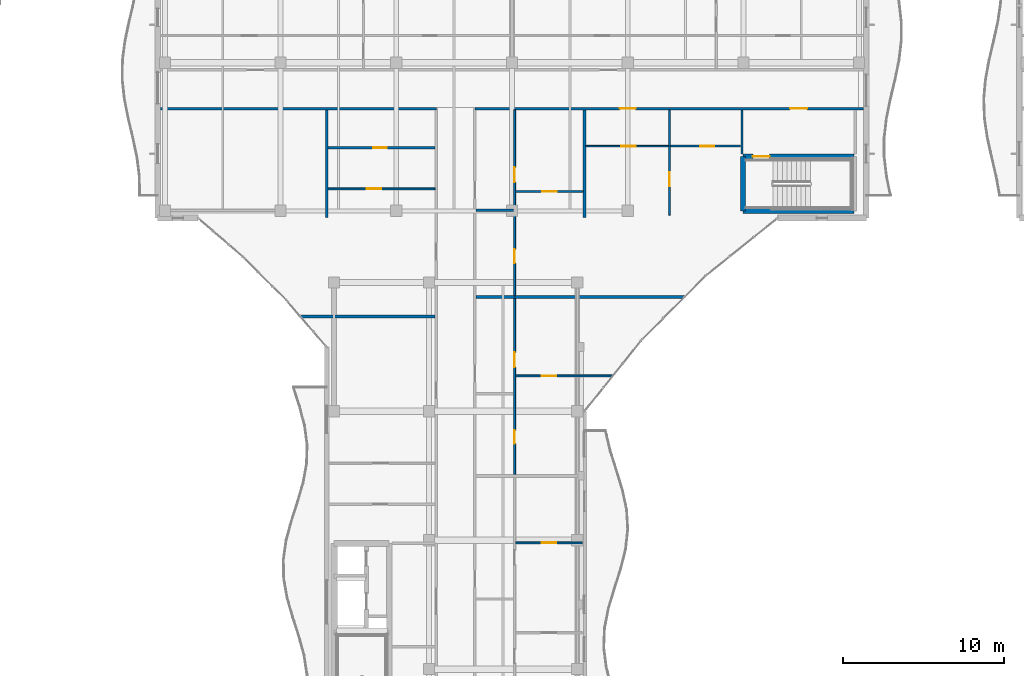
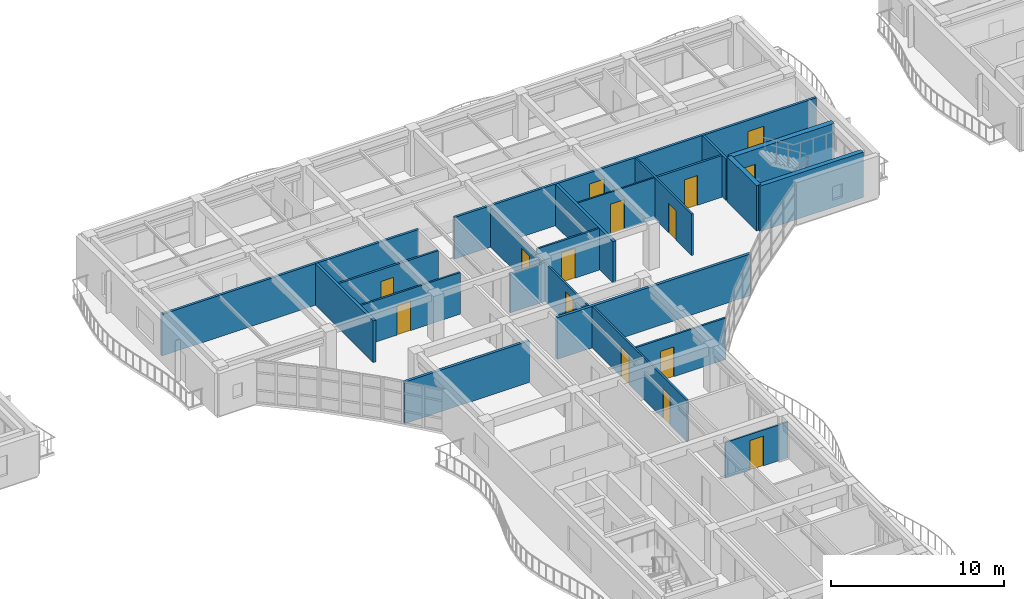
# One storey, part 55 of 89: 21 walls, 15 doors, 15 openings.
"""IFC4 building model written with IfcOpenShell, lengths in metres."""

from ifc_helpers import new_model, si_unit, direction, frame, frame_2d, origin, place, context, subcontext, project, spatial, rectangle, extrude, material, layer, layer_set, type_object, element, fill, save


model = new_model("IFC4")

# Units and contexts
model_context = context("Model", 3, precision=1e-05, world=origin(), true_north=direction((0.0, 1.0)))
body_context = subcontext(model_context, "Body", "Model", "MODEL_VIEW")
ifc_project = project(units=[si_unit("LENGTHUNIT", "METRE"), si_unit("AREAUNIT", "SQUARE_METRE"), si_unit("VOLUMEUNIT", "CUBIC_METRE"), si_unit("PLANEANGLEUNIT", "RADIAN"), si_unit("MASSUNIT", "GRAM", prefix="KILO")], contexts=[model_context])

# Site, building, storey
site_placement = place(None, origin())
site = spatial("IfcSite", under=ifc_project, at=site_placement, CompositionType="ELEMENT")
building_placement = place(site_placement, origin())
building = spatial("IfcBuilding", under=site, at=building_placement, Name="Keldmere Railside Commons", CompositionType="ELEMENT")
storey_placement = place(building_placement, frame((0.0, 0.0, 7.360107421875)))
storey = spatial("IfcBuildingStorey", under=building, at=storey_placement, Name="L02", CompositionType="ELEMENT", Elevation=7.360107421875)

# Walls
ifc_material_1 = material(Name="Acoustic Gypsum Board Partition", Category="gypsum")
ifc_layer_1 = layer(ifc_material_1, 0.179931640625, Name="Acoustic Demising Partition 180")
ifc_layer_set_1 = layer_set([ifc_layer_1], Name="Acoustic Gypsum Board Partition")
wall_type_1 = type_object("IfcWallType", Name="Acoustic Demising Partition 180", PredefinedType="PARTITIONING", material=ifc_layer_set_1)
for number, where, z_axis, x_axis, name in (
    (1, (120.0, 100.050048828125, 0.0), (0.0, 0.0, 1.0), (0.0, 1.0, 0.0), "IW-1 IW-L02-0970"),
    (2, (104.0, 100.050048828125, 0.0), (0.0, 0.0, 1.0), (0.0, 1.0, 0.0), "IW-1 IW-L02-0971"),
):
    element("IfcWall", number, at=place(storey_placement, frame(where, z_axis=z_axis, x_axis=x_axis)), inside=storey, type_object=wall_type_1, Name=name, PredefinedType="PARTITIONING", context=body_context, shape_type="SweptSolid", body=[
        extrude(rectangle(XDim=6.669921875, YDim=0.179931640625, at=frame_2d((3.3349609375, 0.0))), origin(), (0.0, 0.0, 1.0), 2.934814453125),
    ])
wall_1_placement = place(storey_placement, frame((113.280029296875, 95.10009765625, 0.0), z_axis=(0.0, 0.0, 1.0), x_axis=(1.0, 0.0, 0.0)))
element("IfcWall", 3, at=wall_1_placement, inside=storey, type_object=wall_type_1, Name="IW-1 IW-L02-0976", PredefinedType="PARTITIONING", context=body_context, shape_type="SweptSolid", body=[
    extrude(rectangle(XDim=12.887451171875, YDim=0.179931640625, at=frame_2d((6.44384765625, 0.0))), origin(), (0.0, 0.0, 1.0), 2.934814453125),
])
wall_2_placement = place(storey_placement, frame((102.410888671875, 93.89990234375, 0.0), z_axis=(0.0, 0.0, 1.0), x_axis=(1.0, 0.0, 0.0)))
element("IfcWall", 4, at=wall_2_placement, inside=storey, type_object=wall_type_1, Name="IW-1 IW-L02-1001", PredefinedType="PARTITIONING", context=body_context, shape_type="SweptSolid", body=[
    extrude(rectangle(XDim=8.30908203125, YDim=0.179931640625, at=frame_2d((4.154541015625, 0.0))), origin(), (0.0, 0.0, 1.0), 2.934814453125),
])

# Wall, opening, door
ifc_layer_2 = layer(ifc_material_1, 0.1201171875, Name="Apartment Interior Partition 120")
ifc_layer_set_2 = layer_set([ifc_layer_2], Name="Acoustic Gypsum Board Partition")
wall_type_2 = type_object("IfcWallType", Name="Apartment Interior Partition 120", PredefinedType="PARTITIONING", material=ifc_layer_set_2)
wall_3_placement = place(storey_placement, frame((115.719970703125, 79.840087890625, 0.0), z_axis=(0.0, 0.0, 1.0), x_axis=(1.0, 0.0, 0.0)))
wall_3 = element("IfcWall", 5, at=wall_3_placement, inside=storey, type_object=wall_type_2, Name="IW-4 IW-L02-0984", PredefinedType="PARTITIONING", context=body_context, shape_type="SweptSolid", body=[
    extrude(rectangle(XDim=4.150146484375, YDim=0.1201171875, at=frame_2d((2.0751953125, 0.0))), origin(), (0.0, 0.0, 1.0), 2.52978515625),
])
opening_1_placement = place(wall_3_placement, frame((1.635009765625, 0.0, 0.0)))
opening_1 = element("IfcOpeningElement", 6, at=opening_1_placement, cuts=wall_3, Name="Opening ID-02", PredefinedType="OPENING", context=body_context, shape_type="SweptSolid", body=[
    extrude(rectangle(XDim=0.8798828125, YDim=2.10009765625, at=frame_2d((0.43994140625, 1.050048828125))), frame((0.0, 0.070068359375, 0.0), z_axis=(0.0, -1.0, 0.0), x_axis=(1.0, 0.0, 0.0)), (0.0, 0.0, 1.0), 0.14013671875),
])
ifc_material_2 = material(Name="Engineered Oak Timber", Category="wood")
door_type_1 = type_object("IfcDoorType", Name="Secondary Bedroom Door 880x2100", OperationType="NOTDEFINED", PredefinedType="DOOR", material=ifc_material_2)
door_1_placement = place(opening_1_placement, origin())
door_1 = element("IfcDoor", 7, at=door_1_placement, inside=storey, type_object=door_type_1, Name="ID-02 IDR-L02-0852", OperationType="SINGLE_SWING_RIGHT", OverallHeight=2.10009765625, OverallWidth=0.8798828125, PredefinedType="DOOR", context=body_context, shape_type="SweptSolid", body=[
    extrude(rectangle(XDim=0.8798828125, YDim=2.10009765625, at=frame_2d((0.43994140625, 1.050048828125))), frame((0.0, 0.02490234375, 0.0), z_axis=(0.0, -1.0, 0.0), x_axis=(1.0, 0.0, 0.0)), (0.0, 0.0, 1.0), 0.050048828125),
])
fill(opening_1, door_1)

# Wall, openings, doors
wall_4_placement = place(storey_placement, frame((115.659912109375, 84.070068359375, 0.0), z_axis=(0.0, 0.0, 1.0), x_axis=(0.0, 1.0, 0.0)))
wall_4 = element("IfcWall", 8, at=wall_4_placement, inside=storey, type_object=wall_type_2, Name="IW-4 IW-L02-0985", PredefinedType="PARTITIONING", context=body_context, shape_type="SweptSolid", body=[
    extrude(rectangle(XDim=10.93994140625, YDim=0.1201171875, at=frame_2d((5.469970703125, 0.0))), origin(), (0.0, 0.0, 1.0), 2.934814453125),
])
opening_2_placement = place(wall_4_placement, frame((1.911376953125, 0.0, 0.0)))
opening_2 = element("IfcOpeningElement", 9, at=opening_2_placement, cuts=wall_4, Name="Opening ID-04", PredefinedType="OPENING", context=body_context, shape_type="SweptSolid", body=[
    extrude(rectangle(XDim=0.860107421875, YDim=2.10009765625, at=frame_2d((0.43017578125, 1.050048828125))), frame((0.0, 0.070068359375, 0.0), z_axis=(0.0, -1.0, 0.0), x_axis=(1.0, 0.0, 0.0)), (0.0, 0.0, 1.0), 0.14013671875),
])
opening_3_placement = place(wall_4_placement, frame((6.684814453125, 0.0, 0.0)))
opening_3 = element("IfcOpeningElement", 10, at=opening_3_placement, cuts=wall_4, Name="Opening ID-03", PredefinedType="OPENING", context=body_context, shape_type="SweptSolid", body=[
    extrude(rectangle(XDim=0.919921875, YDim=2.10009765625, at=frame_2d((0.4599609375, 1.050048828125))), frame((0.0, 0.070068359375, 0.0), z_axis=(0.0, -1.0, 0.0), x_axis=(1.0, 0.0, 0.0)), (0.0, 0.0, 1.0), 0.14013671875),
])
door_type_2 = type_object("IfcDoorType", Name="Apartment Bathroom Door 860x2100", OperationType="NOTDEFINED", PredefinedType="DOOR", material=ifc_material_2)
door_2_placement = place(opening_2_placement, origin())
door_2 = element("IfcDoor", 11, at=door_2_placement, inside=storey, type_object=door_type_2, Name="ID-04 IDR-L02-0853", OperationType="SINGLE_SWING_LEFT", OverallHeight=2.10009765625, OverallWidth=0.860107421875, PredefinedType="DOOR", context=body_context, shape_type="SweptSolid", body=[
    extrude(rectangle(XDim=0.860107421875, YDim=2.10009765625, at=frame_2d((0.43017578125, 1.050048828125))), frame((0.0, 0.02490234375, 0.0), z_axis=(0.0, -1.0, 0.0), x_axis=(1.0, 0.0, 0.0)), (0.0, 0.0, 1.0), 0.050048828125),
])
fill(opening_2, door_2)
door_type_3 = type_object("IfcDoorType", Name="Kitchen Pocket-Frame Swing Door 920x2100", OperationType="NOTDEFINED", PredefinedType="DOOR", material=ifc_material_2)
door_3_placement = place(opening_3_placement, origin())
door_3 = element("IfcDoor", 12, at=door_3_placement, inside=storey, type_object=door_type_3, Name="ID-03 IDR-L02-0854", OperationType="SINGLE_SWING_RIGHT", OverallHeight=2.10009765625, OverallWidth=0.919921875, PredefinedType="DOOR", context=body_context, shape_type="SweptSolid", body=[
    extrude(rectangle(XDim=0.919921875, YDim=2.10009765625, at=frame_2d((0.4599609375, 1.050048828125))), frame((0.0, 0.02490234375, 0.0), z_axis=(0.0, -1.0, 0.0), x_axis=(1.0, 0.0, 0.0)), (0.0, 0.0, 1.0), 0.050048828125),
])
fill(opening_3, door_3)

# Wall, opening, door
wall_5_placement = place(storey_placement, frame((115.719970703125, 90.199951171875, 0.0), z_axis=(0.0, 0.0, 1.0), x_axis=(1.0, 0.0, 0.0)))
wall_5 = element("IfcWall", 13, at=wall_5_placement, inside=storey, type_object=wall_type_2, Name="IW-4 IW-L02-0987", PredefinedType="PARTITIONING", context=body_context, shape_type="SweptSolid", body=[
    extrude(rectangle(XDim=5.99365234375, YDim=0.1201171875, at=frame_2d((2.996826171875, 0.0))), origin(), (0.0, 0.0, 1.0), 2.934814453125),
])
opening_4_placement = place(wall_5_placement, frame((1.625, 0.0, 0.0)))
opening_4 = element("IfcOpeningElement", 14, at=opening_4_placement, cuts=wall_5, Name="Opening ID-01", PredefinedType="OPENING", context=body_context, shape_type="SweptSolid", body=[
    extrude(rectangle(XDim=0.89990234375, YDim=2.10009765625, at=frame_2d((0.449951171875, 1.050048828125))), frame((0.0, 0.070068359375, 0.0), z_axis=(0.0, -1.0, 0.0), x_axis=(1.0, 0.0, 0.0)), (0.0, 0.0, 1.0), 0.14013671875),
])
door_type_4 = type_object("IfcDoorType", Name="Primary Bedroom Door 900x2100", OperationType="NOTDEFINED", PredefinedType="DOOR", material=ifc_material_2)
door_4_placement = place(opening_4_placement, origin())
door_4 = element("IfcDoor", 15, at=door_4_placement, inside=storey, type_object=door_type_4, Name="ID-01 IDR-L02-0856", OperationType="SINGLE_SWING_RIGHT", OverallHeight=2.10009765625, OverallWidth=0.89990234375, PredefinedType="DOOR", context=body_context, shape_type="SweptSolid", body=[
    extrude(rectangle(XDim=0.89990234375, YDim=2.10009765625, at=frame_2d((0.449951171875, 1.050048828125))), frame((0.0, 0.02490234375, 0.0), z_axis=(0.0, -1.0, 0.0), x_axis=(1.0, 0.0, 0.0)), (0.0, 0.0, 1.0), 0.050048828125),
])
fill(opening_4, door_4)

# Wall, openings, doors
wall_6_placement = place(storey_placement, frame((115.659912109375, 95.18994140625, 0.0), z_axis=(0.0, 0.0, 1.0), x_axis=(0.0, 1.0, 0.0)))
wall_6 = element("IfcWall", 16, at=wall_6_placement, inside=storey, type_object=wall_type_2, Name="IW-4 IW-L02-0988", PredefinedType="PARTITIONING", context=body_context, shape_type="SweptSolid", body=[
    extrude(rectangle(XDim=11.530029296875, YDim=0.1201171875, at=frame_2d((5.76513671875, 0.0))), origin(), (0.0, 0.0, 1.0), 2.679931640625),
])
opening_5_placement = place(wall_6_placement, frame((2.013916015625, 0.0, 0.0)))
opening_5 = element("IfcOpeningElement", 17, at=opening_5_placement, cuts=wall_6, Name="Opening ID-04", PredefinedType="OPENING", context=body_context, shape_type="SweptSolid", body=[
    extrude(rectangle(XDim=0.860107421875, YDim=2.10009765625, at=frame_2d((0.43017578125, 1.050048828125))), frame((0.0, 0.070068359375, 0.0), z_axis=(0.0, -1.0, 0.0), x_axis=(1.0, 0.0, 0.0)), (0.0, 0.0, 1.0), 0.14013671875),
])
opening_6_placement = place(wall_6_placement, frame((7.04443359375, 0.0, 0.0)))
opening_6 = element("IfcOpeningElement", 18, at=opening_6_placement, cuts=wall_6, Name="Opening ID-03", PredefinedType="OPENING", context=body_context, shape_type="SweptSolid", body=[
    extrude(rectangle(XDim=0.919921875, YDim=2.10009765625, at=frame_2d((0.4599609375, 1.050048828125))), frame((0.0, 0.070068359375, 0.0), z_axis=(0.0, -1.0, 0.0), x_axis=(1.0, 0.0, 0.0)), (0.0, 0.0, 1.0), 0.14013671875),
])
door_5_placement = place(opening_5_placement, origin())
door_5 = element("IfcDoor", 19, at=door_5_placement, inside=storey, type_object=door_type_2, Name="ID-04 IDR-L02-0857", OperationType="SINGLE_SWING_LEFT", OverallHeight=2.10009765625, OverallWidth=0.860107421875, PredefinedType="DOOR", context=body_context, shape_type="SweptSolid", body=[
    extrude(rectangle(XDim=0.860107421875, YDim=2.10009765625, at=frame_2d((0.43017578125, 1.050048828125))), frame((0.0, 0.02490234375, 0.0), z_axis=(0.0, -1.0, 0.0), x_axis=(1.0, 0.0, 0.0)), (0.0, 0.0, 1.0), 0.050048828125),
])
fill(opening_5, door_5)
door_6_placement = place(opening_6_placement, origin())
door_6 = element("IfcDoor", 20, at=door_6_placement, inside=storey, type_object=door_type_3, Name="ID-03 IDR-L02-0858", OperationType="SINGLE_SWING_RIGHT", OverallHeight=2.10009765625, OverallWidth=0.919921875, PredefinedType="DOOR", context=body_context, shape_type="SweptSolid", body=[
    extrude(rectangle(XDim=0.919921875, YDim=2.10009765625, at=frame_2d((0.4599609375, 1.050048828125))), frame((0.0, 0.02490234375, 0.0), z_axis=(0.0, -1.0, 0.0), x_axis=(1.0, 0.0, 0.0)), (0.0, 0.0, 1.0), 0.050048828125),
])
fill(opening_6, door_6)

# Wall, opening, door
wall_7_placement = place(storey_placement, frame((115.719970703125, 101.64990234375, 0.0), z_axis=(0.0, 0.0, 1.0), x_axis=(1.0, 0.0, 0.0)))
wall_7 = element("IfcWall", 21, at=wall_7_placement, inside=storey, type_object=wall_type_2, Name="IW-4 IW-L02-0990", PredefinedType="PARTITIONING", context=body_context, shape_type="SweptSolid", body=[
    extrude(rectangle(XDim=4.18994140625, YDim=0.1201171875, at=frame_2d((2.094970703125, 0.0))), origin(), (0.0, 0.0, 1.0), 2.934814453125),
])
opening_7_placement = place(wall_7_placement, frame((1.64501953125, 0.0, 0.0)))
opening_7 = element("IfcOpeningElement", 22, at=opening_7_placement, cuts=wall_7, Name="Opening ID-01", PredefinedType="OPENING", context=body_context, shape_type="SweptSolid", body=[
    extrude(rectangle(XDim=0.89990234375, YDim=2.10009765625, at=frame_2d((0.449951171875, 1.050048828125))), frame((0.0, 0.070068359375, 0.0), z_axis=(0.0, -1.0, 0.0), x_axis=(1.0, 0.0, 0.0)), (0.0, 0.0, 1.0), 0.14013671875),
])
door_7_placement = place(opening_7_placement, origin())
door_7 = element("IfcDoor", 23, at=door_7_placement, inside=storey, type_object=door_type_4, Name="ID-01 IDR-L02-0860", OperationType="SINGLE_SWING_RIGHT", OverallHeight=2.10009765625, OverallWidth=0.89990234375, PredefinedType="DOOR", context=body_context, shape_type="SweptSolid", body=[
    extrude(rectangle(XDim=0.89990234375, YDim=2.10009765625, at=frame_2d((0.449951171875, 1.050048828125))), frame((0.0, 0.02490234375, 0.0), z_axis=(0.0, -1.0, 0.0), x_axis=(1.0, 0.0, 0.0)), (0.0, 0.0, 1.0), 0.050048828125),
])
fill(opening_7, door_7)

wall_8_placement = place(storey_placement, frame((125.280029296875, 100.179931640625, 0.0), z_axis=(0.0, 0.0, 1.0), x_axis=(0.0, 1.0, 0.0)))
wall_8 = element("IfcWall", 24, at=wall_8_placement, inside=storey, type_object=wall_type_2, Name="IW-4 IW-L02-0998", PredefinedType="PARTITIONING", context=body_context, shape_type="SweptSolid", body=[
    extrude(rectangle(XDim=6.5400390625, YDim=0.1201171875, at=frame_2d((3.27001953125, 0.0))), origin(), (0.0, 0.0, 1.0), 2.934814453125),
])
opening_8_placement = place(wall_8_placement, frame((1.8017578125, 0.0, 0.0)))
opening_8 = element("IfcOpeningElement", 25, at=opening_8_placement, cuts=wall_8, Name="Opening ID-02", PredefinedType="OPENING", context=body_context, shape_type="SweptSolid", body=[
    extrude(rectangle(XDim=0.8798828125, YDim=2.10009765625, at=frame_2d((0.43994140625, 1.050048828125))), frame((0.0, 0.070068359375, 0.0), z_axis=(0.0, -1.0, 0.0), x_axis=(1.0, 0.0, 0.0)), (0.0, 0.0, 1.0), 0.14013671875),
])
door_8_placement = place(opening_8_placement, origin())
door_8 = element("IfcDoor", 26, at=door_8_placement, inside=storey, type_object=door_type_1, Name="ID-02 IDR-L02-0873", OperationType="SINGLE_SWING_LEFT", OverallHeight=2.10009765625, OverallWidth=0.8798828125, PredefinedType="DOOR", context=body_context, shape_type="SweptSolid", body=[
    extrude(rectangle(XDim=0.8798828125, YDim=2.10009765625, at=frame_2d((0.43994140625, 1.050048828125))), frame((0.0, 0.02490234375, 0.0), z_axis=(0.0, -1.0, 0.0), x_axis=(1.0, 0.0, 0.0)), (0.0, 0.0, 1.0), 0.050048828125),
])
fill(opening_8, door_8)

wall_9_placement = place(storey_placement, frame((104.090087890625, 101.820068359375, 0.0), z_axis=(0.0, 0.0, 1.0), x_axis=(1.0, 0.0, 0.0)))
wall_9 = element("IfcWall", 27, at=wall_9_placement, inside=storey, type_object=wall_type_2, Name="IW-4 IW-L02-1004", PredefinedType="PARTITIONING", context=body_context, shape_type="SweptSolid", body=[
    extrude(rectangle(XDim=6.6298828125, YDim=0.1201171875, at=frame_2d((3.31494140625, 0.0))), origin(), (0.0, 0.0, 1.0), 2.934814453125),
])
opening_9_placement = place(wall_9_placement, frame((2.384521484375, 0.0, 0.0)))
opening_9 = element("IfcOpeningElement", 28, at=opening_9_placement, cuts=wall_9, Name="Opening ID-03", PredefinedType="OPENING", context=body_context, shape_type="SweptSolid", body=[
    extrude(rectangle(XDim=0.919921875, YDim=2.10009765625, at=frame_2d((0.4599609375, 1.050048828125))), frame((0.0, 0.070068359375, 0.0), z_axis=(0.0, -1.0, 0.0), x_axis=(1.0, 0.0, 0.0)), (0.0, 0.0, 1.0), 0.14013671875),
])
door_9_placement = place(opening_9_placement, origin())
door_9 = element("IfcDoor", 29, at=door_9_placement, inside=storey, type_object=door_type_3, Name="ID-03 IDR-L02-0880", OperationType="SINGLE_SWING_RIGHT", OverallHeight=2.10009765625, OverallWidth=0.919921875, PredefinedType="DOOR", context=body_context, shape_type="SweptSolid", body=[
    extrude(rectangle(XDim=0.919921875, YDim=2.10009765625, at=frame_2d((0.4599609375, 1.050048828125))), frame((0.0, 0.02490234375, 0.0), z_axis=(0.0, -1.0, 0.0), x_axis=(1.0, 0.0, 0.0)), (0.0, 0.0, 1.0), 0.050048828125),
])
fill(opening_9, door_9)

ifc_layer_3 = layer(ifc_material_1, 0.10009765625, Name="Closet Light Partition 100")
ifc_layer_set_3 = layer_set([ifc_layer_3], Name="Acoustic Gypsum Board Partition")
wall_type_3 = type_object("IfcWallType", Name="Closet Light Partition 100", PredefinedType="PARTITIONING", material=ifc_layer_set_3)
wall_10_placement = place(storey_placement, frame((120.090087890625, 104.469970703125, 0.0), z_axis=(0.0, 0.0, 1.0), x_axis=(1.0, 0.0, 0.0)))
wall_10 = element("IfcWall", 30, at=wall_10_placement, inside=storey, type_object=wall_type_3, Name="IW-6 IW-L02-1000", PredefinedType="PARTITIONING", context=body_context, shape_type="SweptSolid", body=[
    extrude(rectangle(XDim=5.1298828125, YDim=0.10009765625, at=frame_2d((2.56494140625, 0.0))), origin(), (0.0, 0.0, 1.0), 2.934814453125),
])
opening_10_placement = place(wall_10_placement, frame((2.1796875, 0.0, 0.0)))
opening_10 = element("IfcOpeningElement", 31, at=opening_10_placement, cuts=wall_10, Name="Opening ID-03", PredefinedType="OPENING", context=body_context, shape_type="SweptSolid", body=[
    extrude(rectangle(XDim=0.919921875, YDim=2.10009765625, at=frame_2d((0.4599609375, 1.050048828125))), frame((0.0, 0.06005859375, 0.0), z_axis=(0.0, -1.0, 0.0), x_axis=(1.0, 0.0, 0.0)), (0.0, 0.0, 1.0), 0.1201171875),
])
door_10_placement = place(opening_10_placement, origin())
door_10 = element("IfcDoor", 32, at=door_10_placement, inside=storey, type_object=door_type_3, Name="ID-03 IDR-L02-0872", OperationType="SINGLE_SWING_RIGHT", OverallHeight=2.10009765625, OverallWidth=0.919921875, PredefinedType="DOOR", context=body_context, shape_type="SweptSolid", body=[
    extrude(rectangle(XDim=0.919921875, YDim=2.10009765625, at=frame_2d((0.4599609375, 1.050048828125))), frame((0.0, 0.02490234375, 0.0), z_axis=(0.0, -1.0, 0.0), x_axis=(1.0, 0.0, 0.0)), (0.0, 0.0, 1.0), 0.050048828125),
])
fill(opening_10, door_10)

# Wall
ifc_layer_4 = layer(ifc_material_1, 0.159912109375, Name="Corridor Fire Partition 160")
ifc_layer_set_4 = layer_set([ifc_layer_4], Name="Acoustic Gypsum Board Partition")
wall_type_4 = type_object("IfcWallType", Name="Corridor Fire Partition 160", PredefinedType="PARTITIONING", material=ifc_layer_set_4)
wall_11_placement = place(storey_placement, frame((93.679931640625, 106.800048828125, 0.0), z_axis=(0.0, 0.0, 1.0), x_axis=(1.0, 0.0, 0.0)))
element("IfcWall", 33, at=wall_11_placement, inside=storey, type_object=wall_type_4, Name="IW-2 IW-L02-0967", PredefinedType="PARTITIONING", context=body_context, shape_type="SweptSolid", body=[
    extrude(rectangle(XDim=17.1201171875, YDim=0.159912109375, at=frame_2d((8.56005859375, 0.0))), origin(), (0.0, 0.0, 1.0), 2.934814453125),
])

# Wall, openings, doors
wall_12_placement = place(storey_placement, frame((113.199951171875, 106.800048828125, 0.0), z_axis=(0.0, 0.0, 1.0), x_axis=(1.0, 0.0, 0.0)))
wall_12 = element("IfcWall", 34, at=wall_12_placement, inside=storey, type_object=wall_type_4, Name="IW-2 IW-L02-0968", PredefinedType="PARTITIONING", context=body_context, shape_type="SweptSolid", body=[
    extrude(rectangle(XDim=24.1201171875, YDim=0.159912109375, at=frame_2d((12.06005859375, 0.0))), origin(), (0.0, 0.0, 1.0), 2.934814453125),
])
opening_11_placement = place(wall_12_placement, frame((19.574951171875, 0.0, 0.0)))
opening_11 = element("IfcOpeningElement", 35, at=opening_11_placement, cuts=wall_12, Name="Opening FD-1", PredefinedType="OPENING", context=body_context, shape_type="SweptSolid", body=[
    extrude(rectangle(XDim=1.050048828125, YDim=2.14990234375, at=frame_2d((0.52490234375, 1.074951171875))), frame((0.0, 0.08984375, 0.0), z_axis=(0.0, -1.0, 0.0), x_axis=(1.0, 0.0, 0.0)), (0.0, 0.0, 1.0), 0.179931640625),
])
opening_12_placement = place(wall_12_placement, frame((8.9951171875, 0.0, 0.0)))
opening_12 = element("IfcOpeningElement", 36, at=opening_12_placement, cuts=wall_12, Name="Opening FD-7", PredefinedType="OPENING", context=body_context, shape_type="SweptSolid", body=[
    extrude(rectangle(XDim=0.97998046875, YDim=2.14990234375, at=frame_2d((0.489990234375, 1.074951171875))), frame((0.0, 0.08984375, 0.0), z_axis=(0.0, -1.0, 0.0), x_axis=(1.0, 0.0, 0.0)), (0.0, 0.0, 1.0), 0.179931640625),
])
door_type_5 = type_object("IfcDoorType", Name="Apartment Entrance Acoustic Fire Door 980x2150", OperationType="NOTDEFINED", PredefinedType="DOOR", material=ifc_material_2)
door_11_placement = place(opening_12_placement, origin())
door_11 = element("IfcDoor", 37, at=door_11_placement, inside=storey, type_object=door_type_5, Name="FD-7 IDR-L02-0871", OperationType="SINGLE_SWING_LEFT", OverallHeight=2.14990234375, OverallWidth=0.97998046875, PredefinedType="DOOR", context=body_context, shape_type="SweptSolid", body=[
    extrude(rectangle(XDim=0.97998046875, YDim=2.14990234375, at=frame_2d((0.489990234375, 1.074951171875))), frame((0.0, 0.02490234375, 0.0), z_axis=(0.0, -1.0, 0.0), x_axis=(1.0, 0.0, 0.0)), (0.0, 0.0, 1.0), 0.050048828125),
])
fill(opening_12, door_11)
ifc_material_3 = material(Name="Steel F-24 (S235)", Category="steel")
door_type_6 = type_object("IfcDoorType", Name="Stair Core Fire Door 1050x2150", OperationType="NOTDEFINED", PredefinedType="DOOR", material=ifc_material_3)
door_12_placement = place(opening_11_placement, origin())
door_12 = element("IfcDoor", 38, at=door_12_placement, inside=storey, type_object=door_type_6, Name="FD-1 IDR-L02-0840", OperationType="SINGLE_SWING_RIGHT", OverallHeight=2.14990234375, OverallWidth=1.050048828125, PredefinedType="DOOR", context=body_context, shape_type="SweptSolid", body=[
    extrude(rectangle(XDim=1.050048828125, YDim=2.14990234375, at=frame_2d((0.52490234375, 1.074951171875))), frame((0.0, 0.02490234375, 0.0), z_axis=(0.0, -1.0, 0.0), x_axis=(1.0, 0.0, 0.0)), (0.0, 0.0, 1.0), 0.050048828125),
])
fill(opening_11, door_12)

# Walls
ifc_material_4 = material(Name="Concrete H-35 (C35/45)", Category="concrete")
ifc_layer_5 = layer(ifc_material_4, 0.300048828125, Name="Interior Shear Wall 300")
ifc_layer_set_5 = layer_set([ifc_layer_5], Name="Concrete H-35 (C35/45)")
wall_type_5 = type_object("IfcWallType", Name="Interior Shear Wall 300", PredefinedType="SHEAR", material=ifc_layer_set_5)
wall_13_placement = place(storey_placement, frame((129.85009765625, 100.449951171875, 0.0), z_axis=(0.0, 0.0, 1.0), x_axis=(1.0, 0.0, 0.0)))
element("IfcWall", 39, at=wall_13_placement, inside=storey, type_object=wall_type_5, Name="ISW-2 COREB2S-L02-0464", PredefinedType="SHEAR", context=body_context, shape_type="SweptSolid", body=[
    extrude(rectangle(XDim=6.89990234375, YDim=0.300048828125, at=frame_2d((3.449951171875, 0.0))), origin(), (0.0, 0.0, 1.0), 3.199951171875),
])
wall_14_placement = place(storey_placement, frame((129.85009765625, 103.820068359375, 0.0), z_axis=(0.0, 0.0, 1.0), x_axis=(0.0, -1.0, 0.0)))
element("IfcWall", 40, at=wall_14_placement, inside=storey, type_object=wall_type_5, Name="ISW-2 COREB2W-L02-0466", PredefinedType="SHEAR", context=body_context, shape_type="SweptSolid", body=[
    extrude(rectangle(XDim=3.3701171875, YDim=0.300048828125, at=frame_2d((1.68505859375, 0.0))), origin(), (0.0, 0.0, 1.0), 3.199951171875),
])

# Wall, opening, door
ifc_layer_6 = layer(ifc_material_4, 0.340087890625, Name="Interior Shear Wall 340")
ifc_layer_set_6 = layer_set([ifc_layer_6], Name="Concrete H-35 (C35/45)")
wall_type_6 = type_object("IfcWallType", Name="Interior Shear Wall 340", PredefinedType="SHEAR", material=ifc_layer_set_6)
wall_15_placement = place(storey_placement, frame((136.75, 103.820068359375, 0.0), z_axis=(0.0, 0.0, 1.0), x_axis=(-1.0, 0.0, 0.0)))
wall_15 = element("IfcWall", 41, at=wall_15_placement, inside=storey, type_object=wall_type_6, Name="ISW-1 COREB2N-L02-0465", PredefinedType="SHEAR", context=body_context, shape_type="SweptSolid", body=[
    extrude(rectangle(XDim=6.89990234375, YDim=0.340087890625, at=frame_2d((3.449951171875, 0.0))), origin(), (0.0, 0.0, 1.0), 3.199951171875),
])
opening_13_placement = place(wall_15_placement, frame((5.25, 0.0, 0.0)))
opening_13 = element("IfcOpeningElement", 42, at=opening_13_placement, cuts=wall_15, Name="Opening FD-1", PredefinedType="OPENING", context=body_context, shape_type="SweptSolid", body=[
    extrude(rectangle(XDim=1.050048828125, YDim=2.14990234375, at=frame_2d((0.52490234375, 1.074951171875))), frame((0.0, 0.179931640625, 0.0), z_axis=(0.0, -1.0, 0.0), x_axis=(1.0, 0.0, 0.0)), (0.0, 0.0, 1.0), 0.360107421875),
])
door_13_placement = place(opening_13_placement, origin())
door_13 = element("IfcDoor", 43, at=door_13_placement, inside=storey, type_object=door_type_6, Name="FD-1 B2 L02", OperationType="SINGLE_SWING_RIGHT", OverallHeight=2.14990234375, OverallWidth=1.050048828125, PredefinedType="DOOR", context=body_context, shape_type="SweptSolid", body=[
    extrude(rectangle(XDim=1.050048828125, YDim=2.14990234375, at=frame_2d((0.52490234375, 1.074951171875))), frame((0.0, 0.02490234375, 0.0), z_axis=(0.0, -1.0, 0.0), x_axis=(1.0, 0.0, 0.0)), (0.0, 0.0, 1.0), 0.050048828125),
])
fill(opening_13, door_13)

# Walls
ifc_layer_7 = layer(ifc_material_1, 0.14990234375, Name="Lobby Rated Partition 150")
ifc_layer_set_7 = layer_set([ifc_layer_7], Name="Acoustic Gypsum Board Partition")
wall_type_7 = type_object("IfcWallType", Name="Lobby Rated Partition 150", PredefinedType="PARTITIONING", material=ifc_layer_set_7)
wall_16_placement = place(storey_placement, frame((129.780029296875, 103.989990234375, 0.0), z_axis=(0.0, 0.0, 1.0), x_axis=(0.0, 1.0, 0.0)))
element("IfcWall", 44, at=wall_16_placement, inside=storey, type_object=wall_type_7, Name="IW-3 IW-L02-0972", PredefinedType="PARTITIONING", context=body_context, shape_type="SweptSolid", body=[
    extrude(rectangle(XDim=2.72998046875, YDim=0.14990234375, at=frame_2d((1.364990234375, 0.0))), origin(), (0.0, 0.0, 1.0), 2.934814453125),
])
ifc_layer_8 = layer(ifc_material_1, 0.139892578125, Name="Wet-Room Sanitary Partition 140")
ifc_layer_set_8 = layer_set([ifc_layer_8], Name="Acoustic Gypsum Board Partition")
wall_type_8 = type_object("IfcWallType", Name="Wet-Room Sanitary Partition 140", PredefinedType="PARTITIONING", material=ifc_layer_set_8)
wall_17_placement = place(storey_placement, frame((113.280029296875, 100.489990234375, 0.0), z_axis=(0.0, 0.0, 1.0), x_axis=(1.0, 0.0, 0.0)))
element("IfcWall", 45, at=wall_17_placement, inside=storey, type_object=wall_type_8, Name="IW-5 IW-L02-0989", PredefinedType="PARTITIONING", context=body_context, shape_type="SweptSolid", body=[
    extrude(rectangle(XDim=2.320068359375, YDim=0.139892578125, at=frame_2d((1.16015625, 0.0))), origin(), (0.0, 0.0, 1.0), 2.72998046875),
])

# Wall, opening, door
wall_18_placement = place(storey_placement, frame((125.340087890625, 104.469970703125, 0.0), z_axis=(0.0, 0.0, 1.0), x_axis=(1.0, 0.0, 0.0)))
wall_18 = element("IfcWall", 46, at=wall_18_placement, inside=storey, type_object=wall_type_8, Name="IW-5 IW-L02-0999", PredefinedType="PARTITIONING", context=body_context, shape_type="SweptSolid", body=[
    extrude(rectangle(XDim=4.35986328125, YDim=0.139892578125, at=frame_2d((2.179931640625, 0.0))), origin(), (0.0, 0.0, 1.0), 2.934814453125),
])
opening_14_placement = place(wall_18_placement, frame((1.8564453125, 0.0, 0.0)))
opening_14 = element("IfcOpeningElement", 47, at=opening_14_placement, cuts=wall_18, Name="Opening ID-04", PredefinedType="OPENING", context=body_context, shape_type="SweptSolid", body=[
    extrude(rectangle(XDim=0.860107421875, YDim=2.10009765625, at=frame_2d((0.43017578125, 1.050048828125))), frame((0.0, 0.079833984375, 0.0), z_axis=(0.0, -1.0, 0.0), x_axis=(1.0, 0.0, 0.0)), (0.0, 0.0, 1.0), 0.159912109375),
])
door_14_placement = place(opening_14_placement, origin())
door_14 = element("IfcDoor", 48, at=door_14_placement, inside=storey, type_object=door_type_2, Name="ID-04 IDR-L02-0874", OperationType="SINGLE_SWING_RIGHT", OverallHeight=2.10009765625, OverallWidth=0.860107421875, PredefinedType="DOOR", context=body_context, shape_type="SweptSolid", body=[
    extrude(rectangle(XDim=0.860107421875, YDim=2.10009765625, at=frame_2d((0.43017578125, 1.050048828125))), frame((0.0, 0.02490234375, 0.0), z_axis=(0.0, -1.0, 0.0), x_axis=(1.0, 0.0, 0.0)), (0.0, 0.0, 1.0), 0.050048828125),
])
fill(opening_14, door_14)

wall_19_placement = place(storey_placement, frame((104.090087890625, 104.3701171875, 0.0), z_axis=(0.0, 0.0, 1.0), x_axis=(1.0, 0.0, 0.0)))
wall_19 = element("IfcWall", 49, at=wall_19_placement, inside=storey, type_object=wall_type_8, Name="IW-5 IW-L02-1005", PredefinedType="PARTITIONING", context=body_context, shape_type="SweptSolid", body=[
    extrude(rectangle(XDim=6.6298828125, YDim=0.139892578125, at=frame_2d((3.31494140625, 0.0))), origin(), (0.0, 0.0, 1.0), 2.934814453125),
])
opening_15_placement = place(wall_19_placement, frame((2.78466796875, 0.0, 0.0)))
opening_15 = element("IfcOpeningElement", 50, at=opening_15_placement, cuts=wall_19, Name="Opening ID-04", PredefinedType="OPENING", context=body_context, shape_type="SweptSolid", body=[
    extrude(rectangle(XDim=0.860107421875, YDim=2.10009765625, at=frame_2d((0.43017578125, 1.050048828125))), frame((0.0, 0.079833984375, 0.0), z_axis=(0.0, -1.0, 0.0), x_axis=(1.0, 0.0, 0.0)), (0.0, 0.0, 1.0), 0.159912109375),
])
door_15_placement = place(opening_15_placement, origin())
door_15 = element("IfcDoor", 51, at=door_15_placement, inside=storey, type_object=door_type_2, Name="ID-04 IDR-L02-0879", OperationType="SINGLE_SWING_LEFT", OverallHeight=2.10009765625, OverallWidth=0.860107421875, PredefinedType="DOOR", context=body_context, shape_type="SweptSolid", body=[
    extrude(rectangle(XDim=0.860107421875, YDim=2.10009765625, at=frame_2d((0.43017578125, 1.050048828125))), frame((0.0, 0.02490234375, 0.0), z_axis=(0.0, -1.0, 0.0), x_axis=(1.0, 0.0, 0.0)), (0.0, 0.0, 1.0), 0.050048828125),
])
fill(opening_15, door_15)

save(model, "model.ifc")
